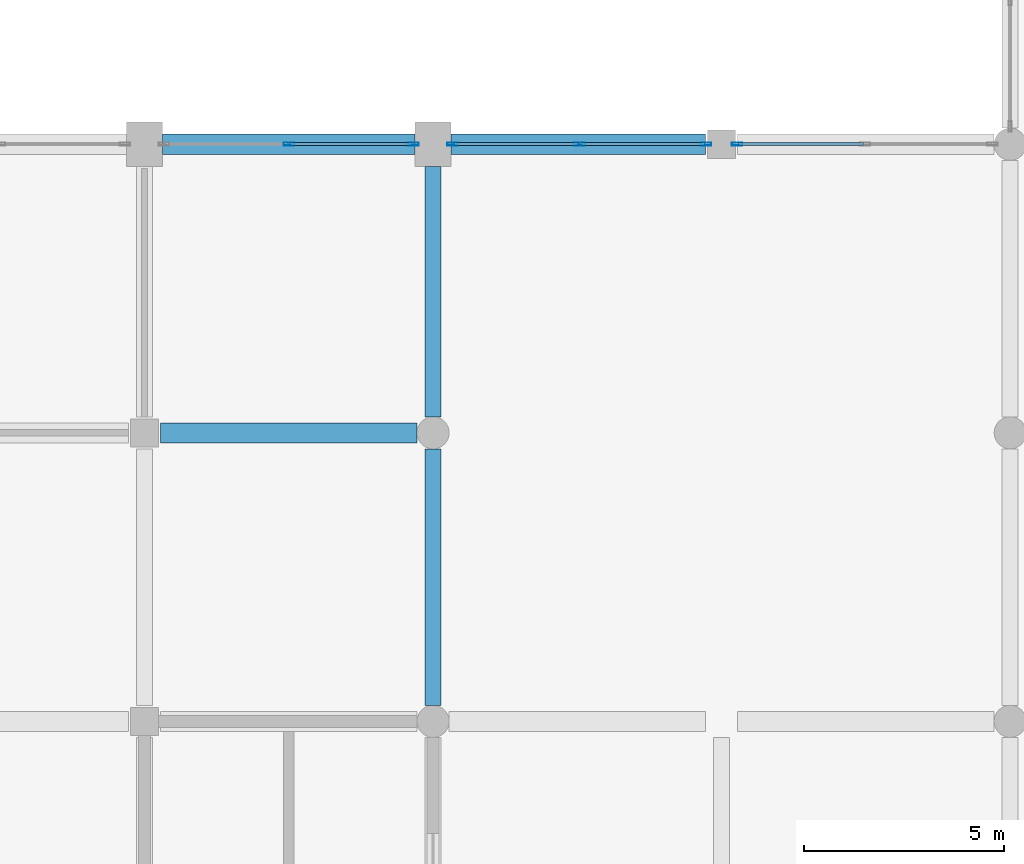
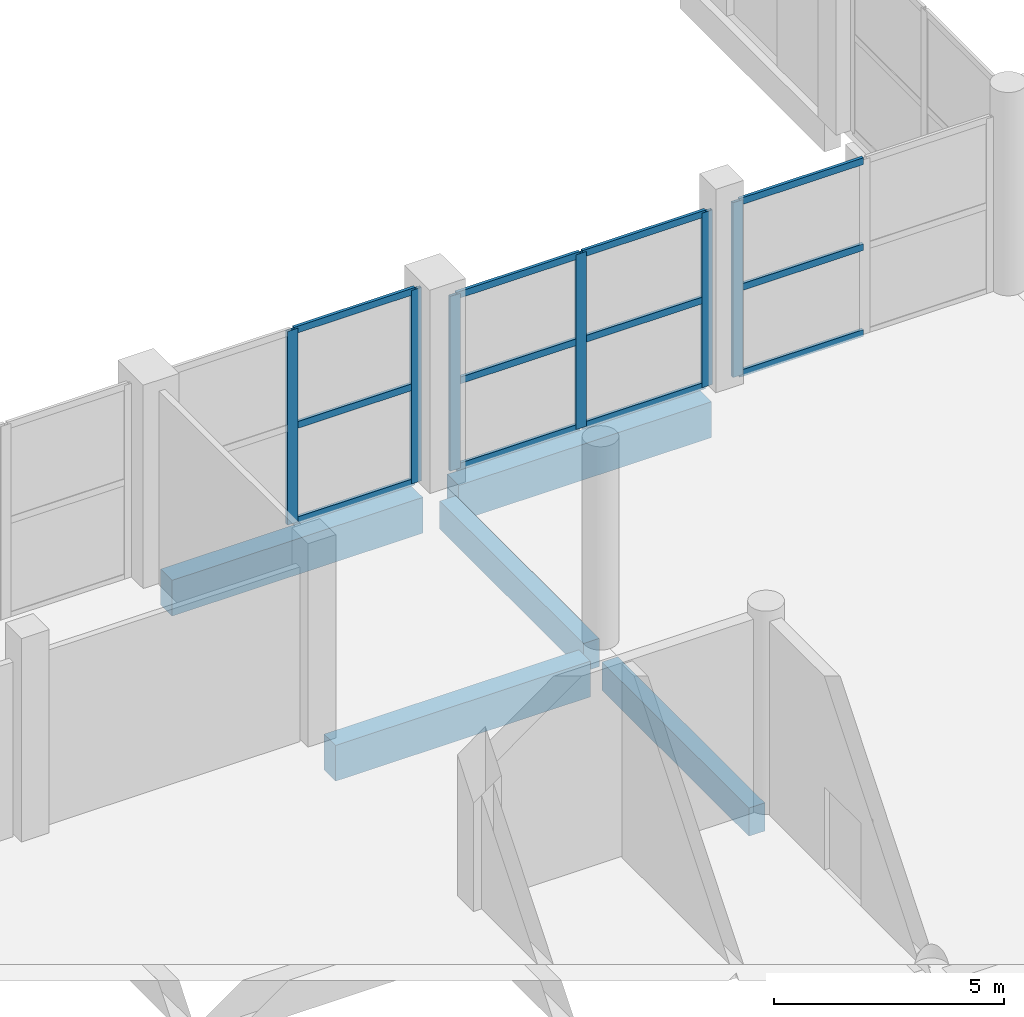
# One storey, part 29 of 70: 18 members, 5 beams, 3 elements without a shape of their own.
"""IFC4 building model written with IfcOpenShell, lengths in metres."""

from ifc_helpers import new_model, si_unit, direction, frame, origin, origin_2d, place, context, subcontext, project, spatial, rectangle, hollow_rectangle, extrude, material, material_profile, profile_set, type_object, element, aggregate, save


model = new_model("IFC4")

# Units and contexts
model_context = context("Model", 3, precision=1e-05, world=origin(), true_north=direction((0.0, 1.0)))
body_context = subcontext(model_context, "Body", "Model", "MODEL_VIEW")
ifc_project = project(units=[si_unit("LENGTHUNIT", "METRE"), si_unit("AREAUNIT", "SQUARE_METRE"), si_unit("VOLUMEUNIT", "CUBIC_METRE"), si_unit("PLANEANGLEUNIT", "RADIAN"), si_unit("MASSUNIT", "GRAM", prefix="KILO")], contexts=[model_context])

# Site, building, storey
site_placement = place(None, origin())
site = spatial("IfcSite", under=ifc_project, at=site_placement, CompositionType="ELEMENT")
building_placement = place(site_placement, origin())
building = spatial("IfcBuilding", under=site, at=building_placement, Name="Vesperath Aquatics Centre", CompositionType="ELEMENT")
storey_placement = place(building_placement, origin())
storey = spatial("IfcBuildingStorey", under=building, at=storey_placement, Name="L00", CompositionType="ELEMENT", Elevation=0.0)

# Beams
ifc_material_1 = material(Name="Concrete C40", Category="concrete")
ifc_material_profile_1 = material_profile(ifc_material_1, rectangle(XDim=0.5, YDim=0.949951171875, at=origin_2d()), Name="RC 500x950")
ifc_profile_set_1 = profile_set([ifc_material_profile_1], Name="Concrete C40")
beam_type_1 = type_object("IfcBeamType", Name="BM-G02", PredefinedType="BEAM", material=ifc_profile_set_1)
beam_1_placement = place(storey_placement, frame((94.0, 79.199951171875, -0.7548828125), z_axis=(1.0, 0.0, 0.0), x_axis=(0.0, 1.0, 0.0)))
element("IfcBeam", 1, at=beam_1_placement, inside=storey, type_object=beam_type_1, Name="Floor Girder B02 L00 M 14-15", PredefinedType="BEAM", context=body_context, shape_type="SweptSolid", body=[
    extrude(rectangle(XDim=0.5, YDim=0.949951171875, at=origin_2d()), origin(), (0.0, 0.0, 1.0), 6.39990234375),
])
beam_2_placement = place(storey_placement, frame((94.050048828125, 86.39990234375, -0.7548828125), z_axis=(1.0, 0.0, 0.0), x_axis=(0.0, 1.0, 0.0)))
element("IfcBeam", 2, at=beam_2_placement, inside=storey, type_object=beam_type_1, Name="Floor Girder B02 L00 N 14-15", PredefinedType="BEAM", context=body_context, shape_type="SweptSolid", body=[
    extrude(rectangle(XDim=0.5, YDim=0.949951171875, at=origin_2d()), origin(), (0.0, 0.0, 1.0), 6.300048828125),
])
beam_3_placement = place(storey_placement, frame((101.25, 86.39990234375, -0.7548828125), z_axis=(1.0, 0.0, 0.0), x_axis=(0.0, 1.0, 0.0)))
element("IfcBeam", 3, at=beam_3_placement, inside=storey, type_object=beam_type_1, Name="Floor Girder B02 L00 N 15-16", PredefinedType="BEAM", context=body_context, shape_type="SweptSolid", body=[
    extrude(rectangle(XDim=0.5, YDim=0.949951171875, at=origin_2d()), origin(), (0.0, 0.0, 1.0), 6.35009765625),
])
ifc_material_2 = material(Name="Concrete C35", Category="concrete")
ifc_material_profile_2 = material_profile(ifc_material_2, rectangle(XDim=0.39990234375, YDim=0.75, at=origin_2d()), Name="RC 400x750")
ifc_profile_set_2 = profile_set([ifc_material_profile_2], Name="Concrete C35")
beam_type_2 = type_object("IfcBeamType", Name="BM-G04", PredefinedType="BEAM", material=ifc_profile_set_2)
beam_4_placement = place(storey_placement, frame((100.800048828125, 72.39990234375, -0.655029296875), z_axis=(0.0, 1.0, 0.0), x_axis=(-1.0, 0.0, 0.0)))
element("IfcBeam", 4, at=beam_4_placement, inside=storey, type_object=beam_type_2, Name="Floor Girder B04 L00 15 L-M", PredefinedType="BEAM", context=body_context, shape_type="SweptSolid", body=[
    extrude(rectangle(XDim=0.39990234375, YDim=0.75, at=origin_2d()), origin(), (0.0, 0.0, 1.0), 6.400146484375),
])
beam_5_placement = place(storey_placement, frame((100.800048828125, 79.60009765625, -0.655029296875), z_axis=(0.0, 1.0, 0.0), x_axis=(-1.0, 0.0, 0.0)))
element("IfcBeam", 5, at=beam_5_placement, inside=storey, type_object=beam_type_2, Name="Floor Girder B04 L00 15 M-N", PredefinedType="BEAM", context=body_context, shape_type="SweptSolid", body=[
    extrude(rectangle(XDim=0.39990234375, YDim=0.75, at=origin_2d()), origin(), (0.0, 0.0, 1.0), 6.25),
])

# Curtain wall, members
ifc_material_3 = material(Name="Thermally broken anodised bronze aluminium curtain wall", Category="aluminium")
curtain_wall_type = type_object("IfcCurtainWallType", Name="CW-01", PredefinedType="NOTDEFINED", material=ifc_material_3)
curtain_wall_1_placement = place(storey_placement, origin())
curtain_wall_1 = element("IfcCurtainWall", 6, at=curtain_wall_1_placement, inside=storey, type_object=curtain_wall_type, Name="Facade Curtain Wall CW01 L00_N_13_12", PredefinedType="NOTDEFINED")
ifc_material_4 = material(Name="Thermally broken anodised aluminium", Category="aluminium")
ifc_material_profile_3 = material_profile(ifc_material_4, hollow_rectangle(XDim=0.074951171875, YDim=0.260009765625, WallThickness=0.006103515625, at=origin_2d()), Name="CWM 75x260x6")
ifc_profile_set_3 = profile_set([ifc_material_profile_3], Name="Thermally broken anodised aluminium")
member_type_1 = type_object("IfcMemberType", Name="MB-CWM1", PredefinedType="MULLION", material=ifc_profile_set_3)
member_1_placement = place(storey_placement, frame((97.199951171875, 86.39990234375, 0.0), z_axis=(0.0, 0.0, 1.0), x_axis=(0.0, 1.0, 0.0)))
member_1 = element("IfcMember", 7, at=member_1_placement, type_object=member_type_1, Name="CW01 mullion 2", PredefinedType="MULLION", context=body_context, shape_type="SweptSolid", body=[
    extrude(hollow_rectangle(XDim=0.074951171875, YDim=0.260009765625, WallThickness=0.006103515625, at=origin_2d()), origin(), (0.0, 0.0, 1.0), 5.139892578125),
])
member_2_placement = place(storey_placement, frame((100.3125, 86.39990234375, 0.0), z_axis=(0.0, 0.0, 1.0), x_axis=(0.0, 1.0, 0.0)))
member_2 = element("IfcMember", 8, at=member_2_placement, type_object=member_type_1, Name="CW01 mullion 3", PredefinedType="MULLION", context=body_context, shape_type="SweptSolid", body=[
    extrude(hollow_rectangle(XDim=0.074951171875, YDim=0.260009765625, WallThickness=0.006103515625, at=origin_2d()), origin(), (0.0, 0.0, 1.0), 5.139892578125),
])

curtain_wall_2_placement = place(storey_placement, origin())
curtain_wall_2 = element("IfcCurtainWall", 9, at=curtain_wall_2_placement, inside=storey, type_object=curtain_wall_type, Name="Facade Curtain Wall CW01 L00_N_14_12", PredefinedType="NOTDEFINED")
member_3_placement = place(storey_placement, frame((101.28759765625, 86.39990234375, 0.0), z_axis=(0.0, 0.0, 1.0), x_axis=(0.0, 1.0, 0.0)))
member_3 = element("IfcMember", 10, at=member_3_placement, type_object=member_type_1, Name="CW01 mullion 1", PredefinedType="MULLION", context=body_context, shape_type="SweptSolid", body=[
    extrude(hollow_rectangle(XDim=0.074951171875, YDim=0.260009765625, WallThickness=0.006103515625, at=origin_2d()), origin(), (0.0, 0.0, 1.0), 4.639892578125),
])
member_4_placement = place(storey_placement, frame((104.449951171875, 86.39990234375, 0.0), z_axis=(0.0, 0.0, 1.0), x_axis=(0.0, 1.0, 0.0)))
member_4 = element("IfcMember", 11, at=member_4_placement, type_object=member_type_1, Name="CW01 mullion 2", PredefinedType="MULLION", context=body_context, shape_type="SweptSolid", body=[
    extrude(hollow_rectangle(XDim=0.074951171875, YDim=0.260009765625, WallThickness=0.006103515625, at=origin_2d()), origin(), (0.0, 0.0, 1.0), 4.639892578125),
])
member_5_placement = place(storey_placement, frame((107.612548828125, 86.39990234375, 0.0), z_axis=(0.0, 0.0, 1.0), x_axis=(0.0, 1.0, 0.0)))
member_5 = element("IfcMember", 12, at=member_5_placement, type_object=member_type_1, Name="CW01 mullion 3", PredefinedType="MULLION", context=body_context, shape_type="SweptSolid", body=[
    extrude(hollow_rectangle(XDim=0.074951171875, YDim=0.260009765625, WallThickness=0.006103515625, at=origin_2d()), origin(), (0.0, 0.0, 1.0), 4.639892578125),
])

# Curtain wall, member
curtain_wall_3_placement = place(storey_placement, origin())
curtain_wall_3 = element("IfcCurtainWall", 13, at=curtain_wall_3_placement, inside=storey, type_object=curtain_wall_type, Name="Facade Curtain Wall CW01 L00_N_15_12", PredefinedType="NOTDEFINED")
member_6_placement = place(storey_placement, frame((108.387451171875, 86.39990234375, 0.0), z_axis=(0.0, 0.0, 1.0), x_axis=(0.0, 1.0, 0.0)))
member_6 = element("IfcMember", 14, at=member_6_placement, type_object=member_type_1, Name="CW01 mullion 1", PredefinedType="MULLION", context=body_context, shape_type="SweptSolid", body=[
    extrude(hollow_rectangle(XDim=0.074951171875, YDim=0.260009765625, WallThickness=0.006103515625, at=origin_2d()), origin(), (0.0, 0.0, 1.0), 4.639892578125),
])

# Member
ifc_material_profile_4 = material_profile(ifc_material_4, hollow_rectangle(XDim=0.074951171875, YDim=0.179931640625, WallThickness=0.0048828125, at=origin_2d()), Name="CWT 75x180x5")
ifc_profile_set_4 = profile_set([ifc_material_profile_4], Name="Thermally broken anodised aluminium")
member_type_2 = type_object("IfcMemberType", Name="MB-CWT1", PredefinedType="USERDEFINED", material=ifc_profile_set_4)
member_7_placement = place(storey_placement, frame((97.237548828125, 86.39990234375, 0.03759765625), z_axis=(1.0, 0.0, 0.0), x_axis=(0.0, 1.0, 0.0)))
member_7 = element("IfcMember", 15, at=member_7_placement, type_object=member_type_2, Name="CW01 transom 2.1", ObjectType="TRANSOM", PredefinedType="USERDEFINED", context=body_context, shape_type="SweptSolid", body=[
    extrude(hollow_rectangle(XDim=0.074951171875, YDim=0.179931640625, WallThickness=0.0048828125, at=origin_2d()), origin(), (0.0, 0.0, 1.0), 3.037353515625),
])

member_8_placement = place(storey_placement, frame((97.237548828125, 86.39990234375, 2.570068359375), z_axis=(1.0, 0.0, 0.0), x_axis=(0.0, 1.0, 0.0)))
member_8 = element("IfcMember", 16, at=member_8_placement, type_object=member_type_2, Name="CW01 transom 2.2", ObjectType="TRANSOM", PredefinedType="USERDEFINED", context=body_context, shape_type="SweptSolid", body=[
    extrude(hollow_rectangle(XDim=0.074951171875, YDim=0.179931640625, WallThickness=0.0048828125, at=origin_2d()), origin(), (0.0, 0.0, 1.0), 3.037353515625),
])

member_9_placement = place(storey_placement, frame((97.237548828125, 86.39990234375, 5.1025390625), z_axis=(1.0, 0.0, 0.0), x_axis=(0.0, 1.0, 0.0)))
member_9 = element("IfcMember", 17, at=member_9_placement, type_object=member_type_2, Name="CW01 transom 2.3", ObjectType="TRANSOM", PredefinedType="USERDEFINED", context=body_context, shape_type="SweptSolid", body=[
    extrude(hollow_rectangle(XDim=0.074951171875, YDim=0.179931640625, WallThickness=0.0048828125, at=origin_2d()), origin(), (0.0, 0.0, 1.0), 3.037353515625),
])

aggregate(curtain_wall_1, [member_1, member_2, member_7, member_8, member_9])

member_10_placement = place(storey_placement, frame((101.324951171875, 86.39990234375, 0.03759765625), z_axis=(1.0, 0.0, 0.0), x_axis=(0.0, 1.0, 0.0)))
member_10 = element("IfcMember", 18, at=member_10_placement, type_object=member_type_2, Name="CW01 transom 1.1", ObjectType="TRANSOM", PredefinedType="USERDEFINED", context=body_context, shape_type="SweptSolid", body=[
    extrude(hollow_rectangle(XDim=0.074951171875, YDim=0.179931640625, WallThickness=0.0048828125, at=origin_2d()), origin(), (0.0, 0.0, 1.0), 3.087646484375),
])

member_11_placement = place(storey_placement, frame((101.324951171875, 86.39990234375, 2.320068359375), z_axis=(1.0, 0.0, 0.0), x_axis=(0.0, 1.0, 0.0)))
member_11 = element("IfcMember", 19, at=member_11_placement, type_object=member_type_2, Name="CW01 transom 1.2", ObjectType="TRANSOM", PredefinedType="USERDEFINED", context=body_context, shape_type="SweptSolid", body=[
    extrude(hollow_rectangle(XDim=0.074951171875, YDim=0.179931640625, WallThickness=0.0048828125, at=origin_2d()), origin(), (0.0, 0.0, 1.0), 3.087646484375),
])

member_12_placement = place(storey_placement, frame((101.324951171875, 86.39990234375, 4.6025390625), z_axis=(1.0, 0.0, 0.0), x_axis=(0.0, 1.0, 0.0)))
member_12 = element("IfcMember", 20, at=member_12_placement, type_object=member_type_2, Name="CW01 transom 1.3", ObjectType="TRANSOM", PredefinedType="USERDEFINED", context=body_context, shape_type="SweptSolid", body=[
    extrude(hollow_rectangle(XDim=0.074951171875, YDim=0.179931640625, WallThickness=0.0048828125, at=origin_2d()), origin(), (0.0, 0.0, 1.0), 3.087646484375),
])

member_13_placement = place(storey_placement, frame((104.487548828125, 86.39990234375, 0.03759765625), z_axis=(1.0, 0.0, 0.0), x_axis=(0.0, 1.0, 0.0)))
member_13 = element("IfcMember", 21, at=member_13_placement, type_object=member_type_2, Name="CW01 transom 2.1", ObjectType="TRANSOM", PredefinedType="USERDEFINED", context=body_context, shape_type="SweptSolid", body=[
    extrude(hollow_rectangle(XDim=0.074951171875, YDim=0.179931640625, WallThickness=0.0048828125, at=origin_2d()), origin(), (0.0, 0.0, 1.0), 3.08740234375),
])

member_14_placement = place(storey_placement, frame((104.487548828125, 86.39990234375, 2.320068359375), z_axis=(1.0, 0.0, 0.0), x_axis=(0.0, 1.0, 0.0)))
member_14 = element("IfcMember", 22, at=member_14_placement, type_object=member_type_2, Name="CW01 transom 2.2", ObjectType="TRANSOM", PredefinedType="USERDEFINED", context=body_context, shape_type="SweptSolid", body=[
    extrude(hollow_rectangle(XDim=0.074951171875, YDim=0.179931640625, WallThickness=0.0048828125, at=origin_2d()), origin(), (0.0, 0.0, 1.0), 3.08740234375),
])

member_15_placement = place(storey_placement, frame((104.487548828125, 86.39990234375, 4.6025390625), z_axis=(1.0, 0.0, 0.0), x_axis=(0.0, 1.0, 0.0)))
member_15 = element("IfcMember", 23, at=member_15_placement, type_object=member_type_2, Name="CW01 transom 2.3", ObjectType="TRANSOM", PredefinedType="USERDEFINED", context=body_context, shape_type="SweptSolid", body=[
    extrude(hollow_rectangle(XDim=0.074951171875, YDim=0.179931640625, WallThickness=0.0048828125, at=origin_2d()), origin(), (0.0, 0.0, 1.0), 3.08740234375),
])

aggregate(curtain_wall_2, [member_3, member_4, member_5, member_10, member_11, member_12, member_13, member_14, member_15])

member_16_placement = place(storey_placement, frame((108.425048828125, 86.39990234375, 0.03759765625), z_axis=(1.0, 0.0, 0.0), x_axis=(0.0, 1.0, 0.0)))
member_16 = element("IfcMember", 24, at=member_16_placement, type_object=member_type_2, Name="CW01 transom 1.1", ObjectType="TRANSOM", PredefinedType="USERDEFINED", context=body_context, shape_type="SweptSolid", body=[
    extrude(hollow_rectangle(XDim=0.074951171875, YDim=0.179931640625, WallThickness=0.0048828125, at=origin_2d()), origin(), (0.0, 0.0, 1.0), 3.112548828125),
])

member_17_placement = place(storey_placement, frame((108.425048828125, 86.39990234375, 2.320068359375), z_axis=(1.0, 0.0, 0.0), x_axis=(0.0, 1.0, 0.0)))
member_17 = element("IfcMember", 25, at=member_17_placement, type_object=member_type_2, Name="CW01 transom 1.2", ObjectType="TRANSOM", PredefinedType="USERDEFINED", context=body_context, shape_type="SweptSolid", body=[
    extrude(hollow_rectangle(XDim=0.074951171875, YDim=0.179931640625, WallThickness=0.0048828125, at=origin_2d()), origin(), (0.0, 0.0, 1.0), 3.112548828125),
])

member_18_placement = place(storey_placement, frame((108.425048828125, 86.39990234375, 4.6025390625), z_axis=(1.0, 0.0, 0.0), x_axis=(0.0, 1.0, 0.0)))
member_18 = element("IfcMember", 26, at=member_18_placement, type_object=member_type_2, Name="CW01 transom 1.3", ObjectType="TRANSOM", PredefinedType="USERDEFINED", context=body_context, shape_type="SweptSolid", body=[
    extrude(hollow_rectangle(XDim=0.074951171875, YDim=0.179931640625, WallThickness=0.0048828125, at=origin_2d()), origin(), (0.0, 0.0, 1.0), 3.112548828125),
])

aggregate(curtain_wall_3, [member_6, member_16, member_17, member_18])

save(model, "model.ifc")
